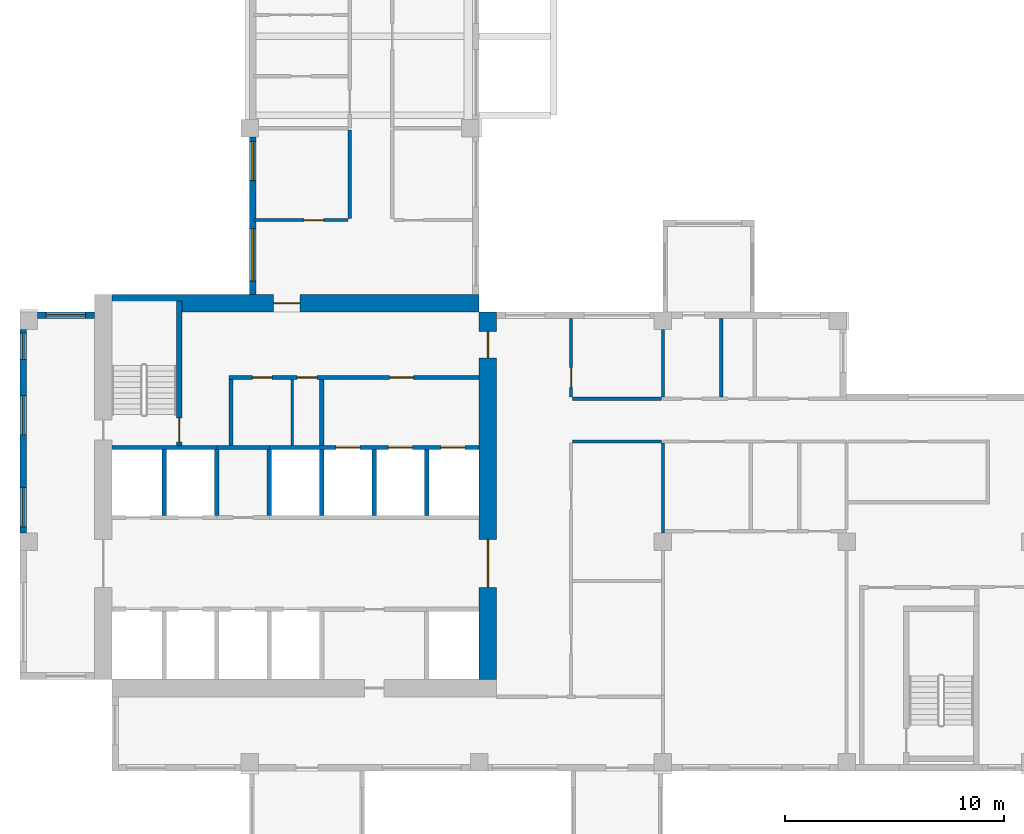
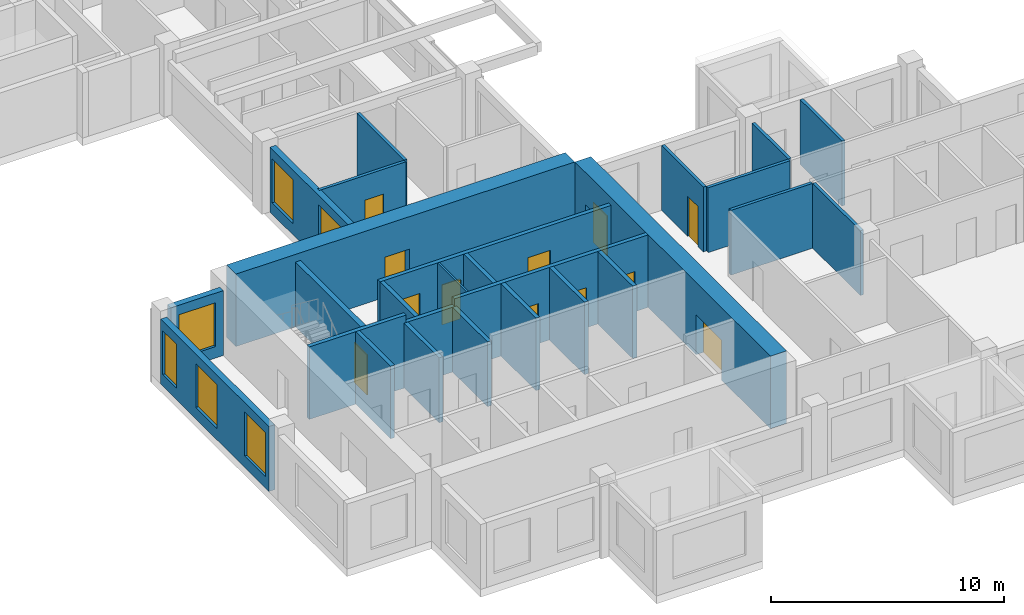
# One storey, part 3 of 12: 27 walls, 12 doors, 6 windows, 18 openings.
"""IFC4 building model written with IfcOpenShell, lengths in metres."""

from ifc_helpers import new_model, si_unit, direction, frame, frame_2d, origin, place, context, subcontext, project, spatial, rectangle, extrude, source, transform, mapped, material, layer, layer_set, type_object, element, fill, save


model = new_model("IFC4")

# Units and contexts
model_context = context("Model", 3, precision=1e-05, world=origin(), true_north=direction((0.0, 1.0)))
body_context = subcontext(model_context, "Body", "Model", "MODEL_VIEW")
ifc_project = project(units=[si_unit("LENGTHUNIT", "METRE"), si_unit("AREAUNIT", "SQUARE_METRE"), si_unit("VOLUMEUNIT", "CUBIC_METRE"), si_unit("PLANEANGLEUNIT", "RADIAN"), si_unit("MASSUNIT", "GRAM", prefix="KILO")], contexts=[model_context])

# Site, building, storey
site_placement = place(None, origin())
site = spatial("IfcSite", under=ifc_project, at=site_placement, CompositionType="ELEMENT")
building_placement = place(site_placement, origin())
building = spatial("IfcBuilding", under=site, at=building_placement, Name="Aurelian Terraces", CompositionType="ELEMENT")
storey_placement = place(building_placement, frame((0.0, 0.0, 234.8)))
storey = spatial("IfcBuildingStorey", under=building, at=storey_placement, Name="L53", CompositionType="ELEMENT", Elevation=234.8)

# Wall, openings, doors
ifc_material_1 = material(Name="Concrete fc' 70 MPa", Category="concrete")
ifc_layer_1 = layer(ifc_material_1, 0.8)
ifc_layer_set_1 = layer_set([ifc_layer_1], Name="CORE WALL 800 FC70")
wall_type_1 = type_object("IfcWallType", Name="CORE WALL 800 FC70", PredefinedType="SHEAR", material=ifc_layer_set_1)
shared_shape_1 = source(origin(), body_context, "Body", "SweptSolid", [
    extrude(rectangle(XDim=16.8, YDim=0.8, at=frame_2d((8.4, 0.0))), origin(), (0.0, 0.0, 1.0), 3.8),
])
wall_1_placement = place(storey_placement, frame((21.4, 4.2, 0.0), z_axis=(0.0, 0.0, 1.0), x_axis=(0.0, 1.0, 0.0)))
wall_1 = element("IfcWall", 1, at=wall_1_placement, inside=storey, type_object=wall_type_1, Name="Core wall E L53", PredefinedType="SHEAR", context=body_context, shape_type="MappedRepresentation", body=[
    mapped(shared_shape_1, transform((0.0, 0.0, 0.0), scale=1.0)),
])
shared_shape_2 = source(origin(), body_context, "Body", "SweptSolid", [
    extrude(rectangle(XDim=2.2, YDim=2.1, at=frame_2d((1.1, 1.05))), frame((0.0, 0.41, 0.0), z_axis=(0.0, -1.0, 0.0), x_axis=(1.0, 0.0, 0.0)), (0.0, 0.0, 1.0), 0.82),
])
opening_1_placement = place(wall_1_placement, frame((4.2, 0.0, 0.0)))
opening_1 = element("IfcOpeningElement", 2, at=opening_1_placement, cuts=wall_1, Name="Opening 65621", PredefinedType="OPENING", context=body_context, shape_type="MappedRepresentation", body=[
    mapped(shared_shape_2, transform((0.0, 0.0, 0.0), scale=1.0)),
])
shared_shape_3 = source(origin(), body_context, "Body", "SweptSolid", [
    extrude(rectangle(XDim=1.2, YDim=2.1, at=frame_2d((0.6, 1.05))), frame((0.0, 0.41, 0.0), z_axis=(0.0, -1.0, 0.0), x_axis=(1.0, 0.0, 0.0)), (0.0, 0.0, 1.0), 0.82),
])
opening_2_placement = place(wall_1_placement, frame((14.7, 0.0, 0.0)))
opening_2 = element("IfcOpeningElement", 3, at=opening_2_placement, cuts=wall_1, Name="Opening 65624", PredefinedType="OPENING", context=body_context, shape_type="MappedRepresentation", body=[
    mapped(shared_shape_3, transform((0.0, 0.0, 0.0), scale=1.0)),
])
ifc_material_2 = material(Name="Steel door leaf", Category="steel")
door_type_1 = type_object("IfcDoorType", Name="Core fire door 1200x2100 right", OperationType="SINGLE_SWING_RIGHT", PredefinedType="DOOR", material=ifc_material_2)
shared_shape_4 = source(origin(), body_context, "Body", "SweptSolid", [
    extrude(rectangle(XDim=1.2, YDim=2.1, at=frame_2d((0.6, 1.05))), frame((0.0, 0.025, 0.0), z_axis=(0.0, -1.0, 0.0), x_axis=(1.0, 0.0, 0.0)), (0.0, 0.0, 1.0), 0.05),
])
door_1_placement = place(opening_2_placement, origin())
door_1 = element("IfcDoor", 4, at=door_1_placement, inside=storey, type_object=door_type_1, Name="Core door 65624", OperationType="SINGLE_SWING_RIGHT", OverallHeight=2.1, OverallWidth=1.2, PredefinedType="DOOR", context=body_context, shape_type="MappedRepresentation", body=[
    mapped(shared_shape_4, transform((0.0, 0.0, 0.0), scale=1.0)),
])
fill(opening_2, door_1)
door_type_2 = type_object("IfcDoorType", Name="Core double door 2200x2100", OperationType="DOUBLE_DOOR_SINGLE_SWING", PredefinedType="DOOR", material=ifc_material_2)
shared_shape_5 = source(origin(), body_context, "Body", "SweptSolid", [
    extrude(rectangle(XDim=2.2, YDim=2.1, at=frame_2d((1.1, 1.05))), frame((0.0, 0.025, 0.0), z_axis=(0.0, -1.0, 0.0), x_axis=(1.0, 0.0, 0.0)), (0.0, 0.0, 1.0), 0.05),
])
door_2_placement = place(opening_1_placement, origin())
door_2 = element("IfcDoor", 5, at=door_2_placement, inside=storey, type_object=door_type_2, Name="Core door 65621", OperationType="DOUBLE_DOOR_SINGLE_SWING", OverallHeight=2.1, OverallWidth=2.2, PredefinedType="DOOR", context=body_context, shape_type="MappedRepresentation", body=[
    mapped(shared_shape_5, transform((0.0, 0.0, 0.0), scale=1.0)),
])
fill(opening_1, door_2)

# Wall, opening, door
wall_2_placement = place(storey_placement, frame((4.2, 21.4, 0.0), z_axis=(0.0, 0.0, 1.0), x_axis=(1.0, 0.0, 0.0)))
wall_2 = element("IfcWall", 6, at=wall_2_placement, inside=storey, type_object=wall_type_1, Name="Core wall N L53", PredefinedType="SHEAR", context=body_context, shape_type="MappedRepresentation", body=[
    mapped(shared_shape_1, transform((0.0, 0.0, 0.0), scale=1.0)),
])
opening_3_placement = place(wall_2_placement, frame((7.4, 0.0, 0.0)))
opening_3 = element("IfcOpeningElement", 7, at=opening_3_placement, cuts=wall_2, Name="Opening 65623", PredefinedType="OPENING", context=body_context, shape_type="MappedRepresentation", body=[
    mapped(shared_shape_3, transform((0.0, 0.0, 0.0), scale=1.0)),
])
door_type_3 = type_object("IfcDoorType", Name="Core fire door 1200x2100", OperationType="SINGLE_SWING_LEFT", PredefinedType="DOOR", material=ifc_material_2)
door_3_placement = place(opening_3_placement, origin())
door_3 = element("IfcDoor", 8, at=door_3_placement, inside=storey, type_object=door_type_3, Name="Core door 65623", OperationType="SINGLE_SWING_LEFT", OverallHeight=2.1, OverallWidth=1.2, PredefinedType="DOOR", context=body_context, shape_type="MappedRepresentation", body=[
    mapped(shared_shape_4, transform((0.0, 0.0, 0.0), scale=1.0)),
])
fill(opening_3, door_3)

# Wall, openings, windows
ifc_material_3 = material(Name="Terracotta rainscreen cladding", Category="masonry")
ifc_layer_2 = layer(ifc_material_3, 0.3)
ifc_layer_set_2 = layer_set([ifc_layer_2], Name="EW-300")
wall_type_2 = type_object("IfcWallType", Name="EW-300", PredefinedType="STANDARD", material=ifc_layer_set_2)
shared_shape_6 = source(origin(), body_context, "Body", "SweptSolid", [
    extrude(rectangle(XDim=7.2, YDim=0.3, at=frame_2d((3.6, 0.0))), origin(), (0.0, 0.0, 1.0), 3.4),
])
wall_3_placement = place(storey_placement, frame((10.65, 29.0, 0.0), z_axis=(0.0, 0.0, 1.0), x_axis=(0.0, -1.0, 0.0)))
wall_3 = element("IfcWall", 9, at=wall_3_placement, inside=storey, type_object=wall_type_2, Name="External wall L53 F18.31", PredefinedType="STANDARD", context=body_context, shape_type="MappedRepresentation", body=[
    mapped(shared_shape_6, transform((0.0, 0.0, 0.0), scale=1.0)),
])
shared_shape_7 = source(origin(), body_context, "Body", "SweptSolid", [
    extrude(rectangle(XDim=1.8, YDim=2.3, at=frame_2d((0.9, 1.15))), frame((0.0, 0.16, 0.0), z_axis=(0.0, -1.0, 0.0), x_axis=(1.0, 0.0, 0.0)), (0.0, 0.0, 1.0), 0.32),
])
opening_4_placement = place(wall_3_placement, frame((0.2, 0.0, 0.6)))
opening_4 = element("IfcOpeningElement", 10, at=opening_4_placement, cuts=wall_3, Name="Opening W1823", PredefinedType="OPENING", context=body_context, shape_type="MappedRepresentation", body=[
    mapped(shared_shape_7, transform((0.0, 0.0, 0.0), scale=1.0)),
])
shared_shape_8 = source(origin(), body_context, "Body", "SweptSolid", [
    extrude(rectangle(XDim=2.4, YDim=2.3, at=frame_2d((1.2, 1.15))), frame((0.0, 0.16, 0.0), z_axis=(0.0, -1.0, 0.0), x_axis=(1.0, 0.0, 0.0)), (0.0, 0.0, 1.0), 0.32),
])
opening_5_placement = place(wall_3_placement, frame((4.1875, 0.0, 0.6)))
opening_5 = element("IfcOpeningElement", 11, at=opening_5_placement, cuts=wall_3, Name="Opening W2423", PredefinedType="OPENING", context=body_context, shape_type="MappedRepresentation", body=[
    mapped(shared_shape_8, transform((0.0, 0.0, 0.0), scale=1.0)),
])
ifc_material_4 = material(Name="Clear glazing", Category="glass")
window_type_1 = type_object("IfcWindowType", Name="W-1800x2300", PartitioningType="SINGLE_PANEL", PredefinedType="WINDOW", material=ifc_material_4)
shared_shape_9 = source(origin(), body_context, "Body", "SweptSolid", [
    extrude(rectangle(XDim=1.8, YDim=2.3, at=frame_2d((0.9, 1.15))), frame((0.0, 0.03, 0.0), z_axis=(0.0, -1.0, 0.0), x_axis=(1.0, 0.0, 0.0)), (0.0, 0.0, 1.0), 0.06),
])
window_1_placement = place(opening_4_placement, origin())
window_1 = element("IfcWindow", 12, at=window_1_placement, inside=storey, type_object=window_type_1, Name="Window L53 L53-F18-31-2", OverallHeight=2.3, OverallWidth=1.8, PartitioningType="SINGLE_PANEL", PredefinedType="WINDOW", context=body_context, shape_type="MappedRepresentation", body=[
    mapped(shared_shape_9, transform((0.0, 0.0, 0.0), scale=1.0)),
])
fill(opening_4, window_1)
window_type_2 = type_object("IfcWindowType", Name="W-2400x2300", PartitioningType="SINGLE_PANEL", PredefinedType="WINDOW", material=ifc_material_4)
shared_shape_10 = source(origin(), body_context, "Body", "SweptSolid", [
    extrude(rectangle(XDim=2.4, YDim=2.3, at=frame_2d((1.2, 1.15))), frame((0.0, 0.03, 0.0), z_axis=(0.0, -1.0, 0.0), x_axis=(1.0, 0.0, 0.0)), (0.0, 0.0, 1.0), 0.06),
])
window_2_placement = place(opening_5_placement, origin())
window_2 = element("IfcWindow", 13, at=window_2_placement, inside=storey, type_object=window_type_2, Name="Window L53 L53-F18-31-3", OverallHeight=2.3, OverallWidth=2.4, PartitioningType="SINGLE_PANEL", PredefinedType="WINDOW", context=body_context, shape_type="MappedRepresentation", body=[
    mapped(shared_shape_10, transform((0.0, 0.0, 0.0), scale=1.0)),
])
fill(opening_5, window_2)

# Wall, opening, window
shared_shape_11 = source(origin(), body_context, "Body", "SweptSolid", [
    extrude(rectangle(XDim=2.6, YDim=0.3, at=frame_2d((1.3, 0.0))), origin(), (0.0, 0.0, 1.0), 3.4),
])
wall_4_placement = place(storey_placement, frame((3.4, 20.85, 0.0), z_axis=(0.0, 0.0, 1.0), x_axis=(-1.0, 0.0, 0.0)))
wall_4 = element("IfcWall", 14, at=wall_4_placement, inside=storey, type_object=wall_type_2, Name="External wall L53 F21.34", PredefinedType="STANDARD", context=body_context, shape_type="MappedRepresentation", body=[
    mapped(shared_shape_11, transform((0.0, 0.0, 0.0), scale=1.0)),
])
opening_6_placement = place(wall_4_placement, frame((0.4, 0.0, 0.6)))
opening_6 = element("IfcOpeningElement", 15, at=opening_6_placement, cuts=wall_4, Name="Opening W1823", PredefinedType="OPENING", context=body_context, shape_type="MappedRepresentation", body=[
    mapped(shared_shape_7, transform((0.0, 0.0, 0.0), scale=1.0)),
])
window_3_placement = place(opening_6_placement, origin())
window_3 = element("IfcWindow", 16, at=window_3_placement, inside=storey, type_object=window_type_1, Name="Window L53 L53-F21-34-0", OverallHeight=2.3, OverallWidth=1.8, PartitioningType="SINGLE_PANEL", PredefinedType="WINDOW", context=body_context, shape_type="MappedRepresentation", body=[
    mapped(shared_shape_9, transform((0.0, 0.0, 0.0), scale=1.0)),
])
fill(opening_6, window_3)

# Wall, openings, windows
shared_shape_12 = source(origin(), body_context, "Body", "SweptSolid", [
    extrude(rectangle(XDim=9.3, YDim=0.3, at=frame_2d((4.65, 0.0))), origin(), (0.0, 0.0, 1.0), 3.4),
])
wall_5_placement = place(storey_placement, frame((0.15, 20.2, 0.0), z_axis=(0.0, 0.0, 1.0), x_axis=(0.0, -1.0, 0.0)))
wall_5 = element("IfcWall", 17, at=wall_5_placement, inside=storey, type_object=wall_type_2, Name="External wall L53 F22.35", PredefinedType="STANDARD", context=body_context, shape_type="MappedRepresentation", body=[
    mapped(shared_shape_12, transform((0.0, 0.0, 0.0), scale=1.0)),
])
shared_shape_13 = source(origin(), body_context, "Body", "SweptSolid", [
    extrude(rectangle(XDim=1.2, YDim=2.3, at=frame_2d((0.6, 1.15))), frame((0.0, 0.16, 0.0), z_axis=(0.0, -1.0, 0.0), x_axis=(1.0, 0.0, 0.0)), (0.0, 0.0, 1.0), 0.32),
])
opening_7_placement = place(wall_5_placement, frame((0.175, 0.0, 0.6)))
opening_7 = element("IfcOpeningElement", 18, at=opening_7_placement, cuts=wall_5, Name="Opening W1223", PredefinedType="OPENING", context=body_context, shape_type="MappedRepresentation", body=[
    mapped(shared_shape_13, transform((0.0, 0.0, 0.0), scale=1.0)),
])
opening_8_placement = place(wall_5_placement, frame((3.025, 0.0, 0.6)))
opening_8 = element("IfcOpeningElement", 19, at=opening_8_placement, cuts=wall_5, Name="Opening W1823", PredefinedType="OPENING", context=body_context, shape_type="MappedRepresentation", body=[
    mapped(shared_shape_7, transform((0.0, 0.0, 0.0), scale=1.0)),
])
opening_9_placement = place(wall_5_placement, frame((7.225, 0.0, 0.6)))
opening_9 = element("IfcOpeningElement", 20, at=opening_9_placement, cuts=wall_5, Name="Opening W1823", PredefinedType="OPENING", context=body_context, shape_type="MappedRepresentation", body=[
    mapped(shared_shape_7, transform((0.0, 0.0, 0.0), scale=1.0)),
])
window_type_3 = type_object("IfcWindowType", Name="W-1200x2300", PartitioningType="SINGLE_PANEL", PredefinedType="WINDOW", material=ifc_material_4)
shared_shape_14 = source(origin(), body_context, "Body", "SweptSolid", [
    extrude(rectangle(XDim=1.2, YDim=2.3, at=frame_2d((0.6, 1.15))), frame((0.0, 0.03, 0.0), z_axis=(0.0, -1.0, 0.0), x_axis=(1.0, 0.0, 0.0)), (0.0, 0.0, 1.0), 0.06),
])
window_4_placement = place(opening_7_placement, origin())
window_4 = element("IfcWindow", 21, at=window_4_placement, inside=storey, type_object=window_type_3, Name="Window L53 L53-F22-35-0", OverallHeight=2.3, OverallWidth=1.2, PartitioningType="SINGLE_PANEL", PredefinedType="WINDOW", context=body_context, shape_type="MappedRepresentation", body=[
    mapped(shared_shape_14, transform((0.0, 0.0, 0.0), scale=1.0)),
])
fill(opening_7, window_4)
window_5_placement = place(opening_8_placement, origin())
window_5 = element("IfcWindow", 22, at=window_5_placement, inside=storey, type_object=window_type_1, Name="Window L53 L53-F22-35-1", OverallHeight=2.3, OverallWidth=1.8, PartitioningType="SINGLE_PANEL", PredefinedType="WINDOW", context=body_context, shape_type="MappedRepresentation", body=[
    mapped(shared_shape_9, transform((0.0, 0.0, 0.0), scale=1.0)),
])
fill(opening_8, window_5)
window_6_placement = place(opening_9_placement, origin())
window_6 = element("IfcWindow", 23, at=window_6_placement, inside=storey, type_object=window_type_1, Name="Window L53 L53-F22-35-2", OverallHeight=2.3, OverallWidth=1.8, PartitioningType="SINGLE_PANEL", PredefinedType="WINDOW", context=body_context, shape_type="MappedRepresentation", body=[
    mapped(shared_shape_9, transform((0.0, 0.0, 0.0), scale=1.0)),
])
fill(opening_9, window_6)

# Walls
ifc_material_5 = material(Name="Concrete fc' 40 MPa", Category="concrete")
ifc_layer_3 = layer(ifc_material_5, 0.2)
ifc_layer_set_3 = layer_set([ifc_layer_3], Name="Lift shaft wall 200")
wall_type_3 = type_object("IfcWallType", Name="Lift shaft wall 200", PredefinedType="SOLIDWALL", material=ifc_layer_set_3)
shared_shape_15 = source(origin(), body_context, "Body", "SweptSolid", [
    extrude(rectangle(XDim=3.0, YDim=0.2, at=frame_2d((1.5, 0.0))), origin(), (0.0, 0.0, 1.0), 3.4),
])
for number, where, z_axis, x_axis, name in (
    (24, (9.0, 11.7, 0.0), (0.0, 0.0, 1.0), (0.0, 1.0, 0.0), "L53 core wall CD-B2"),
    (25, (11.4, 11.7, 0.0), (0.0, 0.0, 1.0), (0.0, 1.0, 0.0), "L53 core wall CD-B3"),
):
    element("IfcWall", number, at=place(storey_placement, frame(where, z_axis=z_axis, x_axis=x_axis)), inside=storey, type_object=wall_type_3, Name=name, PredefinedType="SOLIDWALL", context=body_context, shape_type="MappedRepresentation", body=[
        mapped(shared_shape_15, transform((0.0, 0.0, 0.0), scale=1.0)),
    ])
shared_shape_16 = source(origin(), body_context, "Body", "SweptSolid", [
    extrude(rectangle(XDim=3.0, YDim=0.2, at=frame_2d((1.5, 0.0))), origin(), (0.0, 0.0, 1.0), 3.8),
])
for number, where, z_axis, x_axis, name in (
    (26, (6.6, 11.7, 0.0), (0.0, 0.0, 1.0), (0.0, 1.0, 0.0), "L53 core wall CD-B1"),
    (27, (13.8, 11.7, 0.0), (0.0, 0.0, 1.0), (0.0, 1.0, 0.0), "L53 core wall CD-B4"),
    (28, (16.2, 11.7, 0.0), (0.0, 0.0, 1.0), (0.0, 1.0, 0.0), "L53 core wall CD-B5"),
    (29, (18.6, 11.7, 0.0), (0.0, 0.0, 1.0), (0.0, 1.0, 0.0), "L53 core wall CD-B6"),
):
    element("IfcWall", number, at=place(storey_placement, frame(where, z_axis=z_axis, x_axis=x_axis)), inside=storey, type_object=wall_type_3, Name=name, PredefinedType="SOLIDWALL", context=body_context, shape_type="MappedRepresentation", body=[
        mapped(shared_shape_16, transform((0.0, 0.0, 0.0), scale=1.0)),
    ])

# Wall, openings, doors
shared_shape_17 = source(origin(), body_context, "Body", "SweptSolid", [
    extrude(rectangle(XDim=9.6, YDim=0.2, at=frame_2d((4.8, 0.0))), origin(), (0.0, 0.0, 1.0), 3.8),
])
wall_6_placement = place(storey_placement, frame((11.4, 14.8, 0.0), z_axis=(0.0, 0.0, 1.0), x_axis=(1.0, 0.0, 0.0)))
wall_6 = element("IfcWall", 30, at=wall_6_placement, inside=storey, type_object=wall_type_3, Name="L53 core wall CF-BB3", PredefinedType="SOLIDWALL", context=body_context, shape_type="MappedRepresentation", body=[
    mapped(shared_shape_17, transform((0.0, 0.0, 0.0), scale=1.0)),
])
shared_shape_18 = source(origin(), body_context, "Body", "SweptSolid", [
    extrude(rectangle(XDim=1.1, YDim=2.1, at=frame_2d((0.55, 1.05))), frame((0.0, 0.11, 0.0), z_axis=(0.0, -1.0, 0.0), x_axis=(1.0, 0.0, 0.0)), (0.0, 0.0, 1.0), 0.22),
])
opening_10_placement = place(wall_6_placement, frame((3.05, 0.0, 0.0)))
opening_10 = element("IfcOpeningElement", 31, at=opening_10_placement, cuts=wall_6, Name="Opening 65608", PredefinedType="OPENING", context=body_context, shape_type="MappedRepresentation", body=[
    mapped(shared_shape_18, transform((0.0, 0.0, 0.0), scale=1.0)),
])
opening_11_placement = place(wall_6_placement, frame((5.45, 0.0, 0.0)))
opening_11 = element("IfcOpeningElement", 32, at=opening_11_placement, cuts=wall_6, Name="Opening 65609", PredefinedType="OPENING", context=body_context, shape_type="MappedRepresentation", body=[
    mapped(shared_shape_18, transform((0.0, 0.0, 0.0), scale=1.0)),
])
opening_12_placement = place(wall_6_placement, frame((7.85, 0.0, 0.0)))
opening_12 = element("IfcOpeningElement", 33, at=opening_12_placement, cuts=wall_6, Name="Opening 65610", PredefinedType="OPENING", context=body_context, shape_type="MappedRepresentation", body=[
    mapped(shared_shape_18, transform((0.0, 0.0, 0.0), scale=1.0)),
])
ifc_material_6 = material(Name="Stainless steel", Category="steel")
door_type_4 = type_object("IfcDoorType", Name="Lift landing door 1100x2100", OperationType="SLIDING_TO_LEFT", PredefinedType="DOOR", material=ifc_material_6)
shared_shape_19 = source(origin(), body_context, "Body", "SweptSolid", [
    extrude(rectangle(XDim=1.1, YDim=2.1, at=frame_2d((0.55, 1.05))), frame((0.0, 0.025, 0.0), z_axis=(0.0, -1.0, 0.0), x_axis=(1.0, 0.0, 0.0)), (0.0, 0.0, 1.0), 0.05),
])
door_4_placement = place(opening_10_placement, origin())
door_4 = element("IfcDoor", 34, at=door_4_placement, inside=storey, type_object=door_type_4, Name="Lift landing door F1 L53", OperationType="SLIDING_TO_LEFT", OverallHeight=2.1, OverallWidth=1.1, PredefinedType="DOOR", context=body_context, shape_type="MappedRepresentation", body=[
    mapped(shared_shape_19, transform((0.0, 0.0, 0.0), scale=1.0)),
])
fill(opening_10, door_4)
door_5_placement = place(opening_11_placement, origin())
door_5 = element("IfcDoor", 35, at=door_5_placement, inside=storey, type_object=door_type_4, Name="Lift landing door F2 L53", OperationType="SLIDING_TO_LEFT", OverallHeight=2.1, OverallWidth=1.1, PredefinedType="DOOR", context=body_context, shape_type="MappedRepresentation", body=[
    mapped(shared_shape_19, transform((0.0, 0.0, 0.0), scale=1.0)),
])
fill(opening_11, door_5)
door_6_placement = place(opening_12_placement, origin())
door_6 = element("IfcDoor", 36, at=door_6_placement, inside=storey, type_object=door_type_4, Name="Lift landing door F3 L53", OperationType="SLIDING_TO_LEFT", OverallHeight=2.1, OverallWidth=1.1, PredefinedType="DOOR", context=body_context, shape_type="MappedRepresentation", body=[
    mapped(shared_shape_19, transform((0.0, 0.0, 0.0), scale=1.0)),
])
fill(opening_12, door_6)

# Walls
shared_shape_20 = source(origin(), body_context, "Body", "SweptSolid", [
    extrude(rectangle(XDim=4.8, YDim=0.2, at=frame_2d((2.4, 0.0))), origin(), (0.0, 0.0, 1.0), 3.8),
])
wall_7_placement = place(storey_placement, frame((4.2, 14.8, 0.0), z_axis=(0.0, 0.0, 1.0), x_axis=(1.0, 0.0, 0.0)))
element("IfcWall", 37, at=wall_7_placement, inside=storey, type_object=wall_type_3, Name="L53 core wall CF-BB1", PredefinedType="SOLIDWALL", context=body_context, shape_type="MappedRepresentation", body=[
    mapped(shared_shape_20, transform((0.0, 0.0, 0.0), scale=1.0)),
])
shared_shape_21 = source(origin(), body_context, "Body", "SweptSolid", [
    extrude(rectangle(XDim=2.4, YDim=0.2, at=frame_2d((1.2, 0.0))), origin(), (0.0, 0.0, 1.0), 3.4),
])
wall_8_placement = place(storey_placement, frame((9.0, 14.8, 0.0), z_axis=(0.0, 0.0, 1.0), x_axis=(1.0, 0.0, 0.0)))
element("IfcWall", 38, at=wall_8_placement, inside=storey, type_object=wall_type_3, Name="L53 core wall CF-BB2", PredefinedType="SOLIDWALL", context=body_context, shape_type="MappedRepresentation", body=[
    mapped(shared_shape_21, transform((0.0, 0.0, 0.0), scale=1.0)),
])
ifc_material_7 = material(Name="Gypsum board on steel studs", Category="steel")
ifc_layer_4 = layer(ifc_material_7, 0.2)
ifc_layer_set_4 = layer_set([ifc_layer_4], Name="Core partition 200")
wall_type_4 = type_object("IfcWallType", Name="Core partition 200", PredefinedType="PARTITIONING", material=ifc_layer_set_4)
shared_shape_22 = source(origin(), body_context, "Body", "SweptSolid", [
    extrude(rectangle(XDim=3.0, YDim=0.2, at=frame_2d((1.5, 0.0))), origin(), (0.0, 0.0, 1.0), 3.4),
])
for number, where, z_axis, x_axis, name in (
    (39, (9.65, 14.9, 0.0), (0.0, 0.0, 1.0), (0.0, 1.0, 0.0), "L53 core wall CP-VEST"),
    (40, (13.8, 14.9, 0.0), (0.0, 0.0, 1.0), (0.0, 1.0, 0.0), "L53 core wall CP-FFL"),
):
    element("IfcWall", number, at=place(storey_placement, frame(where, z_axis=z_axis, x_axis=x_axis)), inside=storey, type_object=wall_type_4, Name=name, PredefinedType="PARTITIONING", context=body_context, shape_type="MappedRepresentation", body=[
        mapped(shared_shape_22, transform((0.0, 0.0, 0.0), scale=1.0)),
    ])
ifc_layer_5 = layer(ifc_material_7, 0.1)
ifc_layer_set_5 = layer_set([ifc_layer_5], Name="Core partition 100")
wall_type_5 = type_object("IfcWallType", Name="Core partition 100", PredefinedType="PARTITIONING", material=ifc_layer_set_5)
shared_shape_23 = source(origin(), body_context, "Body", "SweptSolid", [
    extrude(rectangle(XDim=3.0, YDim=0.1, at=frame_2d((1.5, 0.0))), origin(), (0.0, 0.0, 1.0), 3.4),
])
wall_9_placement = place(storey_placement, frame((12.45, 14.9, 0.0), z_axis=(0.0, 0.0, 1.0), x_axis=(0.0, 1.0, 0.0)))
element("IfcWall", 41, at=wall_9_placement, inside=storey, type_object=wall_type_5, Name="L53 core wall CP-SV1", PredefinedType="PARTITIONING", context=body_context, shape_type="MappedRepresentation", body=[
    mapped(shared_shape_23, transform((0.0, 0.0, 0.0), scale=1.0)),
])

# Wall, opening, door
ifc_layer_6 = layer(ifc_material_5, 0.25)
ifc_layer_set_6 = layer_set([ifc_layer_6], Name="Stair enclosure wall 250")
wall_type_6 = type_object("IfcWallType", Name="Stair enclosure wall 250", PredefinedType="SOLIDWALL", material=ifc_layer_set_6)
shared_shape_24 = source(origin(), body_context, "Body", "SweptSolid", [
    extrude(rectangle(XDim=6.6, YDim=0.25, at=frame_2d((3.3, 0.0))), origin(), (0.0, 0.0, 1.0), 3.4),
])
wall_10_placement = place(storey_placement, frame((7.275, 14.9, 0.0), z_axis=(0.0, 0.0, 1.0), x_axis=(0.0, 1.0, 0.0)))
wall_10 = element("IfcWall", 42, at=wall_10_placement, inside=storey, type_object=wall_type_6, Name="L53 core wall ST-S1-E", PredefinedType="SOLIDWALL", context=body_context, shape_type="MappedRepresentation", body=[
    mapped(shared_shape_24, transform((0.0, 0.0, 0.0), scale=1.0)),
])
shared_shape_25 = source(origin(), body_context, "Body", "SweptSolid", [
    extrude(rectangle(XDim=1.1, YDim=2.1, at=frame_2d((0.55, 1.05))), frame((0.0, 0.135, 0.0), z_axis=(0.0, -1.0, 0.0), x_axis=(1.0, 0.0, 0.0)), (0.0, 0.0, 1.0), 0.27),
])
opening_13_placement = place(wall_10_placement, frame((0.15, 0.0, 0.0)))
opening_13 = element("IfcOpeningElement", 43, at=opening_13_placement, cuts=wall_10, Name="Opening 65611", PredefinedType="OPENING", context=body_context, shape_type="MappedRepresentation", body=[
    mapped(shared_shape_25, transform((0.0, 0.0, 0.0), scale=1.0)),
])
door_type_5 = type_object("IfcDoorType", Name="Core fire door 1100x2100 right", OperationType="SINGLE_SWING_RIGHT", PredefinedType="DOOR", material=ifc_material_2)
door_7_placement = place(opening_13_placement, origin())
door_7 = element("IfcDoor", 44, at=door_7_placement, inside=storey, type_object=door_type_5, Name="Stair door 65611", OperationType="SINGLE_SWING_RIGHT", OverallHeight=2.1, OverallWidth=1.1, PredefinedType="DOOR", context=body_context, shape_type="MappedRepresentation", body=[
    mapped(shared_shape_19, transform((0.0, 0.0, 0.0), scale=1.0)),
])
fill(opening_13, door_7)

# Wall, openings, doors
shared_shape_26 = source(origin(), body_context, "Body", "SweptSolid", [
    extrude(rectangle(XDim=11.45, YDim=0.2, at=frame_2d((5.725, 0.0))), origin(), (0.0, 0.0, 1.0), 3.4),
])
wall_11_placement = place(storey_placement, frame((9.55, 18.0, 0.0), z_axis=(0.0, 0.0, 1.0), x_axis=(1.0, 0.0, 0.0)))
wall_11 = element("IfcWall", 45, at=wall_11_placement, inside=storey, type_object=wall_type_4, Name="L53 core wall CP-NORTH", PredefinedType="PARTITIONING", context=body_context, shape_type="MappedRepresentation", body=[
    mapped(shared_shape_26, transform((0.0, 0.0, 0.0), scale=1.0)),
])
shared_shape_27 = source(origin(), body_context, "Body", "SweptSolid", [
    extrude(rectangle(XDim=0.9, YDim=2.1, at=frame_2d((0.45, 1.05))), frame((0.0, 0.11, 0.0), z_axis=(0.0, -1.0, 0.0), x_axis=(1.0, 0.0, 0.0)), (0.0, 0.0, 1.0), 0.22),
])
opening_14_placement = place(wall_11_placement, frame((1.075, 0.0, 0.0)))
opening_14 = element("IfcOpeningElement", 46, at=opening_14_placement, cuts=wall_11, Name="Opening 65612", PredefinedType="OPENING", context=body_context, shape_type="MappedRepresentation", body=[
    mapped(shared_shape_27, transform((0.0, 0.0, 0.0), scale=1.0)),
])
opening_15_placement = place(wall_11_placement, frame((3.125, 0.0, 0.0)))
opening_15 = element("IfcOpeningElement", 47, at=opening_15_placement, cuts=wall_11, Name="Opening 65613", PredefinedType="OPENING", context=body_context, shape_type="MappedRepresentation", body=[
    mapped(shared_shape_27, transform((0.0, 0.0, 0.0), scale=1.0)),
])
opening_16_placement = place(wall_11_placement, frame((7.35, 0.0, 0.0)))
opening_16 = element("IfcOpeningElement", 48, at=opening_16_placement, cuts=wall_11, Name="Opening 65614", PredefinedType="OPENING", context=body_context, shape_type="MappedRepresentation", body=[
    mapped(shared_shape_18, transform((0.0, 0.0, 0.0), scale=1.0)),
])
door_type_6 = type_object("IfcDoorType", Name="Core service door 900x2100", OperationType="SINGLE_SWING_LEFT", PredefinedType="DOOR", material=ifc_material_2)
shared_shape_28 = source(origin(), body_context, "Body", "SweptSolid", [
    extrude(rectangle(XDim=0.9, YDim=2.1, at=frame_2d((0.45, 1.05))), frame((0.0, 0.025, 0.0), z_axis=(0.0, -1.0, 0.0), x_axis=(1.0, 0.0, 0.0)), (0.0, 0.0, 1.0), 0.05),
])
door_8_placement = place(opening_14_placement, origin())
door_8 = element("IfcDoor", 49, at=door_8_placement, inside=storey, type_object=door_type_6, Name="Room door 65612", OperationType="SINGLE_SWING_LEFT", OverallHeight=2.1, OverallWidth=0.9, PredefinedType="DOOR", context=body_context, shape_type="MappedRepresentation", body=[
    mapped(shared_shape_28, transform((0.0, 0.0, 0.0), scale=1.0)),
])
fill(opening_14, door_8)
door_type_7 = type_object("IfcDoorType", Name="Core riser door 900x2100 right", OperationType="SINGLE_SWING_RIGHT", PredefinedType="DOOR", material=ifc_material_2)
door_9_placement = place(opening_15_placement, origin())
door_9 = element("IfcDoor", 50, at=door_9_placement, inside=storey, type_object=door_type_7, Name="Room door 65613", OperationType="SINGLE_SWING_RIGHT", OverallHeight=2.1, OverallWidth=0.9, PredefinedType="DOOR", context=body_context, shape_type="MappedRepresentation", body=[
    mapped(shared_shape_28, transform((0.0, 0.0, 0.0), scale=1.0)),
])
fill(opening_15, door_9)
door_type_8 = type_object("IfcDoorType", Name="Core fire door 1100x2100", OperationType="SINGLE_SWING_LEFT", PredefinedType="DOOR", material=ifc_material_2)
door_10_placement = place(opening_16_placement, origin())
door_10 = element("IfcDoor", 51, at=door_10_placement, inside=storey, type_object=door_type_8, Name="Ff lobby door 65614", OperationType="SINGLE_SWING_LEFT", OverallHeight=2.1, OverallWidth=1.1, PredefinedType="DOOR", context=body_context, shape_type="MappedRepresentation", body=[
    mapped(shared_shape_19, transform((0.0, 0.0, 0.0), scale=1.0)),
])
fill(opening_16, door_10)

# Wall, opening, door
ifc_layer_7 = layer(ifc_material_7, 0.15)
ifc_layer_set_7 = layer_set([ifc_layer_7], Name="Partition 150")
wall_type_7 = type_object("IfcWallType", Name="Partition 150", PredefinedType="PARTITIONING", material=ifc_layer_set_7)
shared_shape_29 = source(origin(), body_context, "Body", "SweptSolid", [
    extrude(rectangle(XDim=3.6, YDim=0.15, at=frame_2d((1.8, 0.0))), origin(), (0.0, 0.0, 1.0), 3.4),
])
wall_12_placement = place(storey_placement, frame((25.2, 20.7, 0.0), z_axis=(0.0, 0.0, 1.0), x_axis=(0.0, -1.0, 0.0)))
wall_12 = element("IfcWall", 52, at=wall_12_placement, inside=storey, type_object=wall_type_7, Name="Partition", PredefinedType="PARTITIONING", context=body_context, shape_type="MappedRepresentation", body=[
    mapped(shared_shape_29, transform((0.0, 0.0, 0.0), scale=1.0)),
])
shared_shape_30 = source(origin(), body_context, "Body", "SweptSolid", [
    extrude(rectangle(XDim=0.9, YDim=2.1, at=frame_2d((0.45, 1.05))), frame((0.0, 0.085, 0.0), z_axis=(0.0, -1.0, 0.0), x_axis=(1.0, 0.0, 0.0)), (0.0, 0.0, 1.0), 0.17),
])
opening_17_placement = place(wall_12_placement, frame((2.25, 0.0, 0.0)))
opening_17 = element("IfcOpeningElement", 53, at=opening_17_placement, cuts=wall_12, Name="Opening 753003", PredefinedType="OPENING", context=body_context, shape_type="MappedRepresentation", body=[
    mapped(shared_shape_30, transform((0.0, 0.0, 0.0), scale=1.0)),
])
ifc_material_8 = material(Name="Timber door leaf", Category="wood")
door_type_9 = type_object("IfcDoorType", Name="Room door 900x2100 left", OperationType="SINGLE_SWING_LEFT", PredefinedType="DOOR", material=ifc_material_8)
door_11_placement = place(opening_17_placement, origin())
door_11 = element("IfcDoor", 54, at=door_11_placement, inside=storey, type_object=door_type_9, Name="Door 753003", OperationType="SINGLE_SWING_LEFT", OverallHeight=2.1, OverallWidth=0.9, PredefinedType="DOOR", context=body_context, shape_type="MappedRepresentation", body=[
    mapped(shared_shape_28, transform((0.0, 0.0, 0.0), scale=1.0)),
])
fill(opening_17, door_11)

# Wall
wall_13_placement = place(storey_placement, frame((32.067, 20.7, 0.0), z_axis=(0.0, 0.0, 1.0), x_axis=(0.0, -1.0, 0.0)))
element("IfcWall", 55, at=wall_13_placement, inside=storey, type_object=wall_type_7, Name="Partition", PredefinedType="PARTITIONING", context=body_context, shape_type="MappedRepresentation", body=[
    mapped(shared_shape_29, transform((0.0, 0.0, 0.0), scale=1.0)),
])

# Wall, opening, door
shared_shape_31 = source(origin(), body_context, "Body", "SweptSolid", [
    extrude(rectangle(XDim=4.295, YDim=0.15, at=frame_2d((2.1475, 0.0))), origin(), (0.0, 0.0, 1.0), 3.4),
])
wall_14_placement = place(storey_placement, frame((10.705, 25.2, 0.0), z_axis=(0.0, 0.0, 1.0), x_axis=(1.0, 0.0, 0.0)))
wall_14 = element("IfcWall", 56, at=wall_14_placement, inside=storey, type_object=wall_type_7, Name="Partition", PredefinedType="PARTITIONING", context=body_context, shape_type="MappedRepresentation", body=[
    mapped(shared_shape_31, transform((0.0, 0.0, 0.0), scale=1.0)),
])
opening_18_placement = place(wall_14_placement, frame((2.2825, 0.0, 0.0)))
opening_18 = element("IfcOpeningElement", 57, at=opening_18_placement, cuts=wall_14, Name="Opening 753018", PredefinedType="OPENING", context=body_context, shape_type="MappedRepresentation", body=[
    mapped(shared_shape_30, transform((0.0, 0.0, 0.0), scale=1.0)),
])
door_type_10 = type_object("IfcDoorType", Name="Room door 900x2100 right", OperationType="SINGLE_SWING_RIGHT", PredefinedType="DOOR", material=ifc_material_8)
door_12_placement = place(opening_18_placement, origin())
door_12 = element("IfcDoor", 58, at=door_12_placement, inside=storey, type_object=door_type_10, Name="Door 753018", OperationType="SINGLE_SWING_RIGHT", OverallHeight=2.1, OverallWidth=0.9, PredefinedType="DOOR", context=body_context, shape_type="MappedRepresentation", body=[
    mapped(shared_shape_28, transform((0.0, 0.0, 0.0), scale=1.0)),
])
fill(opening_18, door_12)

# Walls
ifc_layer_8 = layer(ifc_material_7, 0.15)
ifc_layer_set_8 = layer_set([ifc_layer_8], Name="Fire partition 150")
wall_type_8 = type_object("IfcWallType", Name="Fire partition 150", PredefinedType="PARTITIONING", material=ifc_layer_set_8)
shared_shape_32 = source(origin(), body_context, "Body", "SweptSolid", [
    extrude(rectangle(XDim=4.05, YDim=0.15, at=frame_2d((2.025, 0.0))), origin(), (0.0, 0.0, 1.0), 3.4),
])
for number, where, z_axis, x_axis, name in (
    (59, (29.325, 15.075, 0.0), (0.0, 0.0, 1.0), (-1.0, 0.0, 0.0), "Corridor wall"),
    (60, (25.275, 17.025, 0.0), (0.0, 0.0, 1.0), (1.0, 0.0, 0.0), "Corridor wall"),
    (61, (15.075, 25.275, 0.0), (0.0, 0.0, 1.0), (0.0, 1.0, 0.0), "Corridor wall"),
):
    element("IfcWall", number, at=place(storey_placement, frame(where, z_axis=z_axis, x_axis=x_axis)), inside=storey, type_object=wall_type_8, Name=name, PredefinedType="PARTITIONING", context=body_context, shape_type="MappedRepresentation", body=[
        mapped(shared_shape_32, transform((0.0, 0.0, 0.0), scale=1.0)),
    ])
shared_shape_33 = source(origin(), body_context, "Body", "SweptSolid", [
    extrude(rectangle(XDim=4.101, YDim=0.15, at=frame_2d((2.0505, 0.0))), origin(), (0.0, 0.0, 1.0), 3.4),
])
wall_15_placement = place(storey_placement, frame((29.4, 10.899, 0.0), z_axis=(0.0, 0.0, 1.0), x_axis=(0.0, 1.0, 0.0)))
element("IfcWall", 62, at=wall_15_placement, inside=storey, type_object=wall_type_7, Name="Partition", PredefinedType="PARTITIONING", context=body_context, shape_type="MappedRepresentation", body=[
    mapped(shared_shape_33, transform((0.0, 0.0, 0.0), scale=1.0)),
])
shared_shape_34 = source(origin(), body_context, "Body", "SweptSolid", [
    extrude(rectangle(XDim=3.101, YDim=0.15, at=frame_2d((1.5505, 0.0))), origin(), (0.0, 0.0, 1.0), 3.4),
])
wall_16_placement = place(storey_placement, frame((29.4, 17.1, 0.0), z_axis=(0.0, 0.0, 1.0), x_axis=(0.0, 1.0, 0.0)))
element("IfcWall", 63, at=wall_16_placement, inside=storey, type_object=wall_type_7, Name="Partition", PredefinedType="PARTITIONING", context=body_context, shape_type="MappedRepresentation", body=[
    mapped(shared_shape_34, transform((0.0, 0.0, 0.0), scale=1.0)),
])

save(model, "model.ifc")
